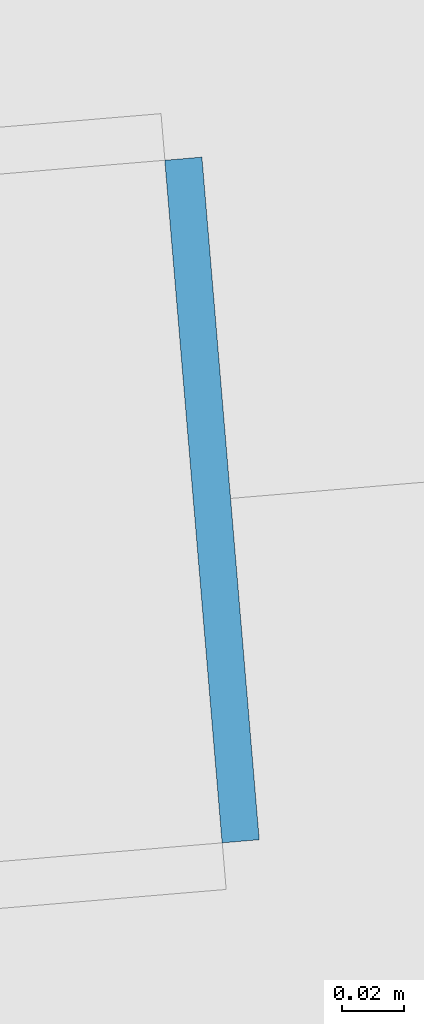
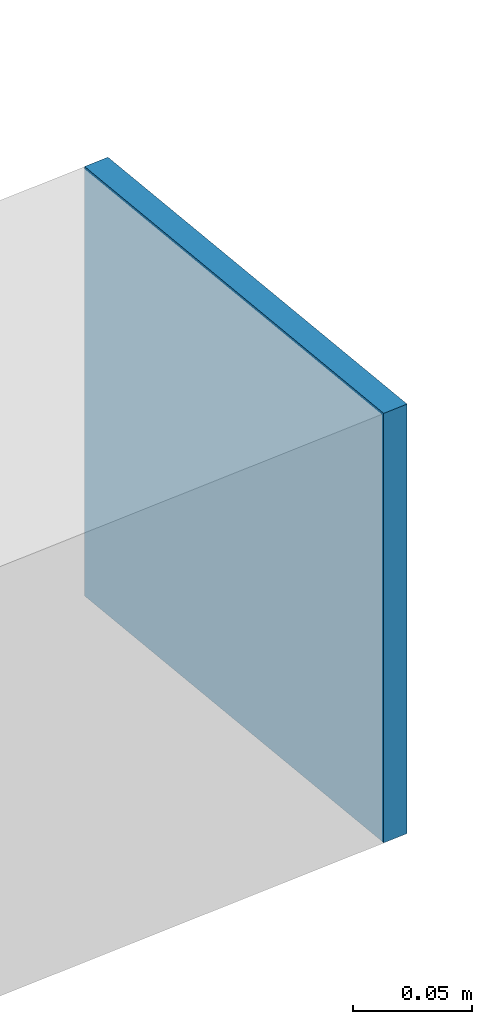
# One storey, part 38 of 46: 1 plate.
"""IFC4 building model written with IfcOpenShell, lengths in metres."""

import ifcopenshell
import ifcopenshell.guid

model = None  # the IFC model being written
_history = None  # IfcOwnerHistory: only IFC2X3 demands one
_inside = {}  # id of a spatial element -> (the spatial element, [elements in it])
_under = {}  # id of a project, library or spatial element -> (it, [spatial elements below it])
_declared = {}  # id of a project -> (the project, [libraries it declares])
_typed = {}  # id of a type object -> (the type object, [elements of that type])
_made_of = {}  # id of a material, layer set ... -> (it, [elements and type objects made of it])


def new_model(schema):
    """Start an empty IFC model of exactly this schema.

    Asked for "IFC4X3", IfcOpenShell would pick the latest addendum, in which some entities
    have other attributes; the version numbers below select the first issue.
    IFC2X3 requires an IfcOwnerHistory on every rooted entity: one is made here for all.
    """
    global model, _history
    if schema == "IFC4X3":
        model = ifcopenshell.file(schema_version=(4, 3, 0, 0))
    else:
        model = ifcopenshell.file(schema=schema)
    _inside.clear()
    _under.clear()
    _declared.clear()
    _typed.clear()
    _made_of.clear()
    _history = None
    if model.schema == "IFC2X3":
        org = make("IfcOrganization", Name="unknown")
        user = make(
            "IfcPersonAndOrganization",
            ThePerson=make("IfcPerson", FamilyName="unknown"),
            TheOrganization=org,
        )
        app = make(
            "IfcApplication",
            ApplicationDeveloper=org,
            Version="unknown",
            ApplicationFullName="unknown",
            ApplicationIdentifier="unknown",
        )
        _history = make(
            "IfcOwnerHistory",
            OwningUser=user,
            OwningApplication=app,
            ChangeAction="ADDED",
            CreationDate=0,
        )
    return model


def make(cls, **values):
    """One entity of the class cls with the attributes given. An attribute that is None is left unset."""
    return model.create_entity(
        cls, **{name: value for name, value in values.items() if value is not None}
    )


def rooted(cls, **values):
    """An entity with a GlobalId (a new one), such as an element, a storey or a relation."""
    return make(cls, GlobalId=ifcopenshell.guid.new(), OwnerHistory=_history, **values)


def si_unit(unit_type, name, prefix=None):
    """IfcSIUnit, for example si_unit("LENGTHUNIT", "METRE", prefix="MILLI")."""
    return make("IfcSIUnit", UnitType=unit_type, Prefix=prefix, Name=name)


def assignment(units):
    """IfcUnitAssignment: the units of a project."""
    return None if units is None else make("IfcUnitAssignment", Units=units)


def point(xyz):
    """IfcCartesianPoint."""
    return None if xyz is None else make("IfcCartesianPoint", Coordinates=xyz)


def direction(xyz):
    """IfcDirection."""
    return None if xyz is None else make("IfcDirection", DirectionRatios=xyz)


def frame(location, z_axis=None, x_axis=None):
    """IfcAxis2Placement3D, a coordinate frame: its origin and axes. An axis left out is left unset."""
    return make(
        "IfcAxis2Placement3D",
        Location=point(location),
        Axis=direction(z_axis),
        RefDirection=direction(x_axis),
    )


def frame_2d(location, x_axis=None):
    """IfcAxis2Placement2D, a coordinate frame in the plane: its origin and x axis."""
    return make(
        "IfcAxis2Placement2D", Location=point(location), RefDirection=direction(x_axis)
    )


def origin():
    """The frame at (0, 0, 0) with its axes left unset."""
    return frame((0.0, 0.0, 0.0))


def origin_2d():
    """The frame at (0, 0) in the plane with its x axis left unset."""
    return frame_2d((0.0, 0.0))


def place(relative_to, where):
    """IfcLocalPlacement: puts the frame where relative to a parent placement (None: the world)."""
    return make(
        "IfcLocalPlacement", PlacementRelTo=relative_to, RelativePlacement=where
    )


def context(
    kind, dimensions, precision=None, world=None, true_north=None, identifier=None
):
    """IfcGeometricRepresentationContext, for example the 3D "Model" context."""
    return make(
        "IfcGeometricRepresentationContext",
        ContextIdentifier=identifier,
        ContextType=kind,
        CoordinateSpaceDimension=dimensions,
        Precision=precision,
        WorldCoordinateSystem=world,
        TrueNorth=true_north,
    )


def subcontext(parent, identifier, kind, view, scale=None):
    """IfcGeometricRepresentationSubContext, for example "Body" below "Model"."""
    return make(
        "IfcGeometricRepresentationSubContext",
        ContextIdentifier=identifier,
        ContextType=kind,
        ParentContext=parent,
        TargetScale=scale,
        TargetView=view,
    )


def project(units=None, contexts=None):
    """IfcProject with its units and contexts."""
    return rooted(
        "IfcProject",
        Name="project",
        RepresentationContexts=contexts,
        UnitsInContext=assignment(units),
    )


def spatial(cls, under=None, at=None, **own):
    """A site, building, storey or space (cls), placed at a placement, below another one or the project."""
    s = rooted(cls, ObjectPlacement=at, **own)
    if under is not None:
        _under.setdefault(under.id(), (under, []))[1].append(s)
    return s


def profile(cls, at=None, kind="AREA", **sizes):
    """A parametric profile (cls). Its sizes go by their IFC names, for example OverallWidth=200.0."""
    return make(cls, ProfileType=kind, Position=at, **sizes)


def rectangle(**sizes):
    """IfcRectangleProfileDef."""
    return profile("IfcRectangleProfileDef", **sizes)


def extrude(swept, where, along, depth):
    """IfcExtrudedAreaSolid: the profile swept, set in the frame where, extruded along a direction by depth."""
    return make(
        "IfcExtrudedAreaSolid",
        SweptArea=swept,
        Position=where,
        ExtrudedDirection=direction(along),
        Depth=depth,
    )


def shape(context_of_items, identifier, shape_type, items):
    """IfcShapeRepresentation: the items that make up one representation, for example the "Body"."""
    return make(
        "IfcShapeRepresentation",
        ContextOfItems=context_of_items,
        RepresentationIdentifier=identifier,
        RepresentationType=shape_type,
        Items=items,
    )


def source(mapping_origin, context_of_items, identifier, shape_type, items):
    """IfcRepresentationMap: a shape defined once, which mapped items show again and again."""
    return make(
        "IfcRepresentationMap",
        MappingOrigin=mapping_origin,
        MappedRepresentation=shape(context_of_items, identifier, shape_type, items),
    )


def transform(
    local_origin,
    x_axis=None,
    y_axis=None,
    z_axis=None,
    scale=None,
    scale2=None,
    scale3=None,
    uniform=True,
):
    """IfcCartesianTransformationOperator3D, or its non-uniform kind. x_axis, y_axis, z_axis: its Axis1, 2, 3."""
    if uniform:
        return make(
            "IfcCartesianTransformationOperator3D",
            Axis1=direction(x_axis),
            Axis2=direction(y_axis),
            LocalOrigin=point(local_origin),
            Scale=scale,
            Axis3=direction(z_axis),
        )
    return make(
        "IfcCartesianTransformationOperator3DnonUniform",
        Axis1=direction(x_axis),
        Axis2=direction(y_axis),
        LocalOrigin=point(local_origin),
        Scale=scale,
        Axis3=direction(z_axis),
        Scale2=scale2,
        Scale3=scale3,
    )


def mapped(mapping_source, mapping_target):
    """IfcMappedItem: shows the shape of a source again, moved by a transform."""
    return make(
        "IfcMappedItem", MappingSource=mapping_source, MappingTarget=mapping_target
    )


def material(Name=None, Category=None):
    """IfcMaterial."""
    return make("IfcMaterial", Name=Name, Category=Category)


def layer(
    of_material, thickness, ventilated=None, Name=None, Category=None, Priority=None
):
    """IfcMaterialLayer: one layer of a wall or slab, of a material (None: an air gap)."""
    return make(
        "IfcMaterialLayer",
        Material=of_material,
        LayerThickness=thickness,
        IsVentilated=ventilated,
        Name=Name,
        Category=Category,
        Priority=Priority,
    )


def layer_set(layers, Name=None):
    """IfcMaterialLayerSet."""
    return make("IfcMaterialLayerSet", MaterialLayers=layers, LayerSetName=Name)


def made_of(thing, what):
    """Note that an element or type object is made of a material, layer set ...; save() writes the relation."""
    if what is not None:
        _made_of.setdefault(what.id(), (what, []))[1].append(thing)
    return thing


def type_object(cls, material=None, **own):
    """A type object (cls), such as IfcWallType, which elements share."""
    return made_of(rooted(cls, **own), material)


def element(
    cls,
    number,
    at=None,
    inside=None,
    cuts=None,
    type_object=None,
    material=None,
    context=None,
    identifier="Body",
    shape_type=None,
    held_by="IfcProductDefinitionShape",
    body=None,
    shapes=None,
    **own,
):
    """One element of the class cls, such as IfcWall. Its Tag is "e" and its number.

    at: its placement. inside: the storey or other place that contains it. cuts: it is an
    opening in that element (IfcRelVoidsElement). A single representation is given by context,
    identifier, shape_type and body (its items); several are given by shapes. held_by: the class
    of the entity that holds the representations. save() writes the other relations.
    """
    e = rooted(cls, Tag="e%d" % number, ObjectPlacement=at, **own)
    if body is not None:
        shapes = [shape(context, identifier, shape_type, body)]
    if shapes is not None:
        e.Representation = make(held_by, Representations=shapes)
    if inside is not None:
        _inside.setdefault(inside.id(), (inside, []))[1].append(e)
    if cuts is not None:
        rooted(
            "IfcRelVoidsElement", RelatingBuildingElement=cuts, RelatedOpeningElement=e
        )
    if type_object is not None:
        _typed.setdefault(type_object.id(), (type_object, []))[1].append(e)
    return made_of(e, material)


def aggregate(whole, parts):
    """IfcRelAggregates: a whole, such as a stair, and the parts it consists of."""
    return rooted("IfcRelAggregates", RelatingObject=whole, RelatedObjects=parts)


def save(model, path):
    """Write the relations noted so far, then the file.

    IfcRelAggregates (storeys below a building ...), IfcRelContainedInSpatialStructure (elements
    in a storey), IfcRelDefinesByType, IfcRelAssociatesMaterial and IfcRelDeclares: one each for
    every whole, place, type object, material and project.
    """
    for whole, parts in _under.values():
        aggregate(whole, parts)
    for where, things in _inside.values():
        rooted(
            "IfcRelContainedInSpatialStructure",
            RelatedElements=things,
            RelatingStructure=where,
        )
    for kind, things in _typed.values():
        rooted("IfcRelDefinesByType", RelatedObjects=things, RelatingType=kind)
    for what, things in _made_of.values():
        rooted("IfcRelAssociatesMaterial", RelatedObjects=things, RelatingMaterial=what)
    for by, libraries in _declared.values():
        rooted("IfcRelDeclares", RelatingContext=by, RelatedDefinitions=libraries)
    model.write(path)


model = new_model("IFC4")

# Units and contexts
model_context = context("Model", 3, precision=1e-05, world=origin(), true_north=direction((0.0, 1.0)))
body_context = subcontext(model_context, "Body", "Model", "MODEL_VIEW")
ifc_project = project(units=[si_unit("LENGTHUNIT", "METRE"), si_unit("AREAUNIT", "SQUARE_METRE"), si_unit("VOLUMEUNIT", "CUBIC_METRE"), si_unit("PLANEANGLEUNIT", "RADIAN"), si_unit("MASSUNIT", "GRAM", prefix="KILO")], contexts=[model_context])

# Site, building, storey
site_placement = place(None, origin())
site = spatial("IfcSite", under=ifc_project, at=site_placement, CompositionType="ELEMENT")
building_placement = place(site_placement, origin())
building = spatial("IfcBuilding", under=site, at=building_placement, Name="Taldren Reach Tower", CompositionType="ELEMENT")
storey_placement = place(building_placement, frame((0.0, 0.0, 188.300048828125)))
storey = spatial("IfcBuildingStorey", under=building, at=storey_placement, Name="L57", CompositionType="ELEMENT", Elevation=188.300048828125)

# Plate
ifc_material = material(Name="Steel Gr 450 (C450L0)", Category="steel")
ifc_layer = layer(ifc_material, 0.011962890625)
ifc_layer_set = layer_set([ifc_layer], Name="Steel Gr 450 (C450L0)")
plate_type = type_object("IfcPlateType", Name="PL-CAP-220", PredefinedType="SHEET", material=ifc_layer_set)
shared_shape = source(origin(), body_context, "Body", "SweptSolid", [
    extrude(rectangle(XDim=0.011962890625, YDim=0.219970703125, at=origin_2d()), origin(), (0.0, 0.0, 1.0), 0.219970703125),
])
plate_placement = place(storey_placement, frame((62.167724609375, 21.60498046875, 2.5400390625), z_axis=(0.0, 0.0, 1.0), x_axis=(0.99649285925, 0.083677843332, 0.0)))
element("IfcPlate", 1, at=plate_placement, inside=storey, type_object=plate_type, Name="Tie strut end cap plate B4-E2 L57", PredefinedType="SHEET", context=body_context, shape_type="MappedRepresentation", body=[
    mapped(shared_shape, transform((0.0, 0.0, 0.0), scale=1.0)),
])

save(model, "model.ifc")
